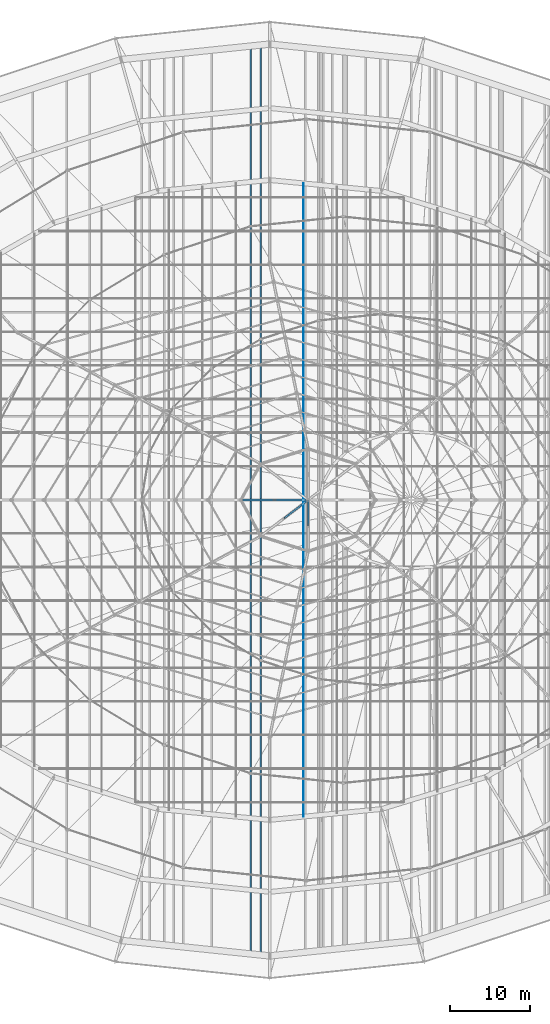
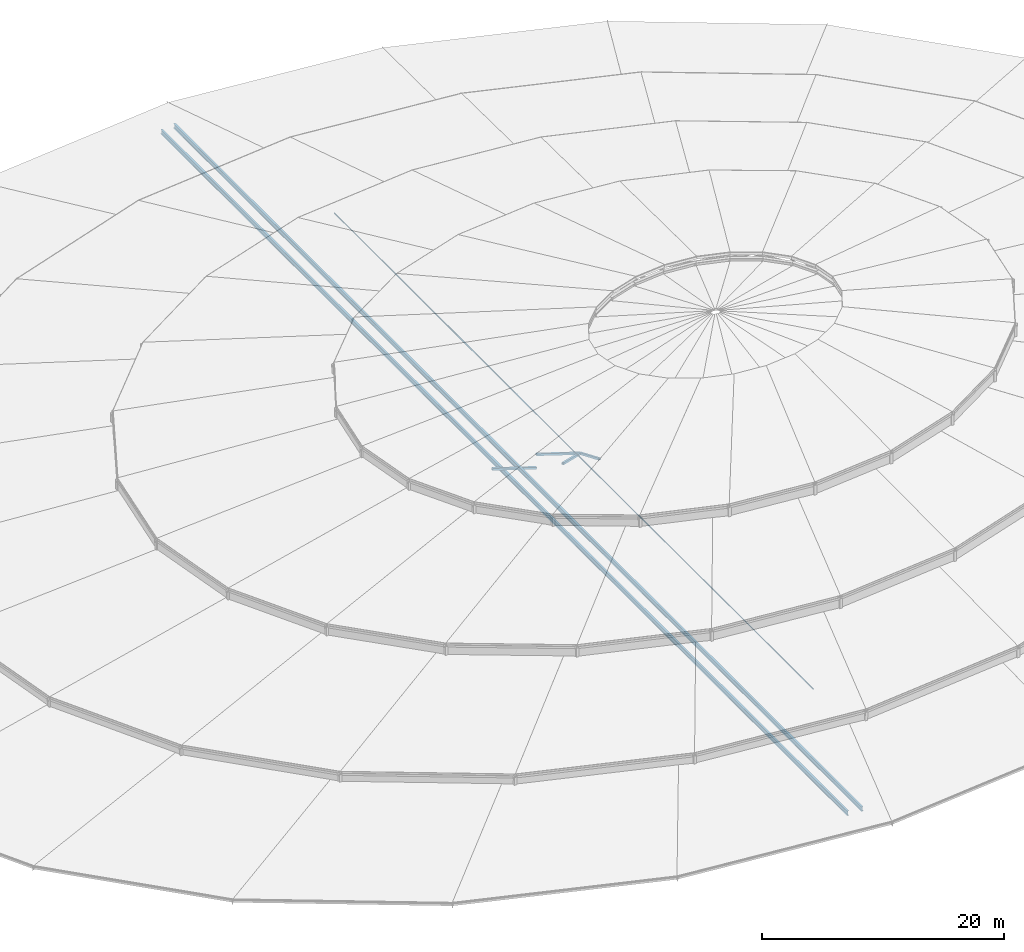
# One storey, part 58 of 184: 7 members.
"""IFC4 building model written with IfcOpenShell, lengths in metres."""

import ifcopenshell
import ifcopenshell.guid

model = None  # the IFC model being written
_history = None  # IfcOwnerHistory: only IFC2X3 demands one
_inside = {}  # id of a spatial element -> (the spatial element, [elements in it])
_under = {}  # id of a project, library or spatial element -> (it, [spatial elements below it])
_declared = {}  # id of a project -> (the project, [libraries it declares])
_typed = {}  # id of a type object -> (the type object, [elements of that type])
_made_of = {}  # id of a material, layer set ... -> (it, [elements and type objects made of it])


def new_model(schema):
    """Start an empty IFC model of exactly this schema.

    Asked for "IFC4X3", IfcOpenShell would pick the latest addendum, in which some entities
    have other attributes; the version numbers below select the first issue.
    IFC2X3 requires an IfcOwnerHistory on every rooted entity: one is made here for all.
    """
    global model, _history
    if schema == "IFC4X3":
        model = ifcopenshell.file(schema_version=(4, 3, 0, 0))
    else:
        model = ifcopenshell.file(schema=schema)
    _inside.clear()
    _under.clear()
    _declared.clear()
    _typed.clear()
    _made_of.clear()
    _history = None
    if model.schema == "IFC2X3":
        org = make("IfcOrganization", Name="unknown")
        user = make(
            "IfcPersonAndOrganization",
            ThePerson=make("IfcPerson", FamilyName="unknown"),
            TheOrganization=org,
        )
        app = make(
            "IfcApplication",
            ApplicationDeveloper=org,
            Version="unknown",
            ApplicationFullName="unknown",
            ApplicationIdentifier="unknown",
        )
        _history = make(
            "IfcOwnerHistory",
            OwningUser=user,
            OwningApplication=app,
            ChangeAction="ADDED",
            CreationDate=0,
        )
    return model


def make(cls, **values):
    """One entity of the class cls with the attributes given. An attribute that is None is left unset."""
    return model.create_entity(
        cls, **{name: value for name, value in values.items() if value is not None}
    )


def rooted(cls, **values):
    """An entity with a GlobalId (a new one), such as an element, a storey or a relation."""
    return make(cls, GlobalId=ifcopenshell.guid.new(), OwnerHistory=_history, **values)


def si_unit(unit_type, name, prefix=None):
    """IfcSIUnit, for example si_unit("LENGTHUNIT", "METRE", prefix="MILLI")."""
    return make("IfcSIUnit", UnitType=unit_type, Prefix=prefix, Name=name)


def assignment(units):
    """IfcUnitAssignment: the units of a project."""
    return None if units is None else make("IfcUnitAssignment", Units=units)


def point(xyz):
    """IfcCartesianPoint."""
    return None if xyz is None else make("IfcCartesianPoint", Coordinates=xyz)


def direction(xyz):
    """IfcDirection."""
    return None if xyz is None else make("IfcDirection", DirectionRatios=xyz)


def frame(location, z_axis=None, x_axis=None):
    """IfcAxis2Placement3D, a coordinate frame: its origin and axes. An axis left out is left unset."""
    return make(
        "IfcAxis2Placement3D",
        Location=point(location),
        Axis=direction(z_axis),
        RefDirection=direction(x_axis),
    )


def frame_2d(location, x_axis=None):
    """IfcAxis2Placement2D, a coordinate frame in the plane: its origin and x axis."""
    return make(
        "IfcAxis2Placement2D", Location=point(location), RefDirection=direction(x_axis)
    )


def origin():
    """The frame at (0, 0, 0) with its axes left unset."""
    return frame((0.0, 0.0, 0.0))


def origin_2d():
    """The frame at (0, 0) in the plane with its x axis left unset."""
    return frame_2d((0.0, 0.0))


def place(relative_to, where):
    """IfcLocalPlacement: puts the frame where relative to a parent placement (None: the world)."""
    return make(
        "IfcLocalPlacement", PlacementRelTo=relative_to, RelativePlacement=where
    )


def context(
    kind, dimensions, precision=None, world=None, true_north=None, identifier=None
):
    """IfcGeometricRepresentationContext, for example the 3D "Model" context."""
    return make(
        "IfcGeometricRepresentationContext",
        ContextIdentifier=identifier,
        ContextType=kind,
        CoordinateSpaceDimension=dimensions,
        Precision=precision,
        WorldCoordinateSystem=world,
        TrueNorth=true_north,
    )


def subcontext(parent, identifier, kind, view, scale=None):
    """IfcGeometricRepresentationSubContext, for example "Body" below "Model"."""
    return make(
        "IfcGeometricRepresentationSubContext",
        ContextIdentifier=identifier,
        ContextType=kind,
        ParentContext=parent,
        TargetScale=scale,
        TargetView=view,
    )


def project(units=None, contexts=None):
    """IfcProject with its units and contexts."""
    return rooted(
        "IfcProject",
        Name="project",
        RepresentationContexts=contexts,
        UnitsInContext=assignment(units),
    )


def spatial(cls, under=None, at=None, **own):
    """A site, building, storey or space (cls), placed at a placement, below another one or the project."""
    s = rooted(cls, ObjectPlacement=at, **own)
    if under is not None:
        _under.setdefault(under.id(), (under, []))[1].append(s)
    return s


def profile(cls, at=None, kind="AREA", **sizes):
    """A parametric profile (cls). Its sizes go by their IFC names, for example OverallWidth=200.0."""
    return make(cls, ProfileType=kind, Position=at, **sizes)


def hollow_rectangle(**sizes):
    """IfcRectangleHollowProfileDef."""
    return profile("IfcRectangleHollowProfileDef", **sizes)


def circle(**sizes):
    """IfcCircleProfileDef."""
    return profile("IfcCircleProfileDef", **sizes)


def i_section(**sizes):
    """IfcIShapeProfileDef."""
    return profile("IfcIShapeProfileDef", **sizes)


def extrude(swept, where, along, depth):
    """IfcExtrudedAreaSolid: the profile swept, set in the frame where, extruded along a direction by depth."""
    return make(
        "IfcExtrudedAreaSolid",
        SweptArea=swept,
        Position=where,
        ExtrudedDirection=direction(along),
        Depth=depth,
    )


def shape(context_of_items, identifier, shape_type, items):
    """IfcShapeRepresentation: the items that make up one representation, for example the "Body"."""
    return make(
        "IfcShapeRepresentation",
        ContextOfItems=context_of_items,
        RepresentationIdentifier=identifier,
        RepresentationType=shape_type,
        Items=items,
    )


def material(Name=None, Category=None):
    """IfcMaterial."""
    return make("IfcMaterial", Name=Name, Category=Category)


def material_profile(
    of_material, cross_section, Name=None, Category=None, Priority=None
):
    """IfcMaterialProfile: a cross section and its material."""
    return make(
        "IfcMaterialProfile",
        Name=Name,
        Material=of_material,
        Profile=cross_section,
        Priority=Priority,
        Category=Category,
    )


def profile_set(profiles, Name=None, composite=None):
    """IfcMaterialProfileSet."""
    return make(
        "IfcMaterialProfileSet",
        Name=Name,
        MaterialProfiles=profiles,
        CompositeProfile=composite,
    )


def made_of(thing, what):
    """Note that an element or type object is made of a material, layer set ...; save() writes the relation."""
    if what is not None:
        _made_of.setdefault(what.id(), (what, []))[1].append(thing)
    return thing


def type_object(cls, material=None, **own):
    """A type object (cls), such as IfcWallType, which elements share."""
    return made_of(rooted(cls, **own), material)


def element(
    cls,
    number,
    at=None,
    inside=None,
    cuts=None,
    type_object=None,
    material=None,
    context=None,
    identifier="Body",
    shape_type=None,
    held_by="IfcProductDefinitionShape",
    body=None,
    shapes=None,
    **own,
):
    """One element of the class cls, such as IfcWall. Its Tag is "e" and its number.

    at: its placement. inside: the storey or other place that contains it. cuts: it is an
    opening in that element (IfcRelVoidsElement). A single representation is given by context,
    identifier, shape_type and body (its items); several are given by shapes. held_by: the class
    of the entity that holds the representations. save() writes the other relations.
    """
    e = rooted(cls, Tag="e%d" % number, ObjectPlacement=at, **own)
    if body is not None:
        shapes = [shape(context, identifier, shape_type, body)]
    if shapes is not None:
        e.Representation = make(held_by, Representations=shapes)
    if inside is not None:
        _inside.setdefault(inside.id(), (inside, []))[1].append(e)
    if cuts is not None:
        rooted(
            "IfcRelVoidsElement", RelatingBuildingElement=cuts, RelatedOpeningElement=e
        )
    if type_object is not None:
        _typed.setdefault(type_object.id(), (type_object, []))[1].append(e)
    return made_of(e, material)


def aggregate(whole, parts):
    """IfcRelAggregates: a whole, such as a stair, and the parts it consists of."""
    return rooted("IfcRelAggregates", RelatingObject=whole, RelatedObjects=parts)


def save(model, path):
    """Write the relations noted so far, then the file.

    IfcRelAggregates (storeys below a building ...), IfcRelContainedInSpatialStructure (elements
    in a storey), IfcRelDefinesByType, IfcRelAssociatesMaterial and IfcRelDeclares: one each for
    every whole, place, type object, material and project.
    """
    for whole, parts in _under.values():
        aggregate(whole, parts)
    for where, things in _inside.values():
        rooted(
            "IfcRelContainedInSpatialStructure",
            RelatedElements=things,
            RelatingStructure=where,
        )
    for kind, things in _typed.values():
        rooted("IfcRelDefinesByType", RelatedObjects=things, RelatingType=kind)
    for what, things in _made_of.values():
        rooted("IfcRelAssociatesMaterial", RelatedObjects=things, RelatingMaterial=what)
    for by, libraries in _declared.values():
        rooted("IfcRelDeclares", RelatingContext=by, RelatedDefinitions=libraries)
    model.write(path)


model = new_model("IFC4")

# Units and contexts
model_context = context("Model", 3, precision=1e-05, world=origin(), true_north=direction((0.0, 1.0)))
body_context = subcontext(model_context, "Body", "Model", "MODEL_VIEW")
ifc_project = project(units=[si_unit("LENGTHUNIT", "METRE"), si_unit("AREAUNIT", "SQUARE_METRE"), si_unit("VOLUMEUNIT", "CUBIC_METRE"), si_unit("PLANEANGLEUNIT", "RADIAN"), si_unit("MASSUNIT", "GRAM", prefix="KILO")], contexts=[model_context])

# Site, building, storey
site_placement = place(None, origin())
site = spatial("IfcSite", under=ifc_project, at=site_placement, CompositionType="ELEMENT")
building_placement = place(site_placement, origin())
building = spatial("IfcBuilding", under=site, at=building_placement, Name="Kalgoora Escarpment Arena", CompositionType="ELEMENT")
storey_placement = place(building_placement, frame((0.0, 0.0, 27.60009765625)))
storey = spatial("IfcBuildingStorey", under=building, at=storey_placement, Name="Roof Level", CompositionType="ELEMENT", Elevation=27.60009765625)

# Members
ifc_material_1 = material(Name="High-tensile spiral strand steel Grade 450 (350 MPa)", Category="steel")
ifc_material_profile_1 = material_profile(ifc_material_1, circle(Radius=0.035888671875, at=origin_2d()))
ifc_profile_set_1 = profile_set([ifc_material_profile_1], Name="High-tensile spiral strand steel Grade 450 (350 MPa)")
member_type_1 = type_object("IfcMemberType", Name="MEM-CABLE-72", PredefinedType="USERDEFINED", material=ifc_profile_set_1)
member_1_placement = place(storey_placement, frame((96.60009765625, 24.40966796875, -1.190185546875), z_axis=(0.0, 1.0, 0.0), x_axis=(-1.0, 0.0, 0.0)))
element("IfcMember", 1, at=member_1_placement, inside=storey, type_object=member_type_1, Name="Roof saddle pretensioning cable Y-31", ObjectType="CABLE", PredefinedType="USERDEFINED", context=body_context, shape_type="SweptSolid", body=[
    extrude(circle(Radius=0.035888671875, at=origin_2d()), origin(), (0.0, 0.0, 1.0), 79.1806640625),
])
ifc_material_2 = material(Name="Structural steel AS/NZS 3679 (300 MPa)", Category="steel")
ifc_material_profile_2 = material_profile(ifc_material_2, i_section(OverallWidth=0.19091796875, OverallDepth=0.4599609375, WebThickness=0.010009765625, FlangeThickness=0.01611328125, at=origin_2d()))
ifc_profile_set_2 = profile_set([ifc_material_profile_2], Name="Structural steel AS/NZS 3679 (300 MPa)")
member_type_2 = type_object("IfcMemberType", Name="MEM-CARRIER-CHORD", PredefinedType="CHORD", material=ifc_profile_set_2)
member_2_placement = place(storey_placement, frame((90.0048828125, 7.250244140625, -1.02001953125), z_axis=(0.0, 1.0, 0.0), x_axis=(-1.0, 0.0, 0.0)))
element("IfcMember", 2, at=member_2_placement, inside=storey, type_object=member_type_2, Name="Petal RP3 spanning carrier chord C08", PredefinedType="CHORD", context=body_context, shape_type="SweptSolid", body=[
    extrude(i_section(OverallWidth=0.19091796875, OverallDepth=0.4599609375, WebThickness=0.010009765625, FlangeThickness=0.01611328125, at=origin_2d()), origin(), (0.0, 0.0, 1.0), 113.49951171875),
])
member_3_placement = place(storey_placement, frame((91.300048828125, 7.114990234375, -0.960205078125), z_axis=(0.0, 1.0, 0.0), x_axis=(-1.0, 0.0, 0.0)))
element("IfcMember", 3, at=member_3_placement, inside=storey, type_object=member_type_2, Name="Petal RP4 spanning carrier chord C09", PredefinedType="CHORD", context=body_context, shape_type="SweptSolid", body=[
    extrude(i_section(OverallWidth=0.19091796875, OverallDepth=0.4599609375, WebThickness=0.010009765625, FlangeThickness=0.01611328125, at=origin_2d()), origin(), (0.0, 0.0, 1.0), 113.77001953125),
])
ifc_material_3 = material(Name="Structural steel C350 (350 MPa)", Category="steel")
ifc_material_profile_3 = material_profile(ifc_material_3, hollow_rectangle(XDim=0.199951171875, YDim=0.199951171875, WallThickness=0.009033203125, at=origin_2d()))
ifc_profile_set_3 = profile_set([ifc_material_profile_3], Name="Structural steel C350 (350 MPa)")
member_type_3 = type_object("IfcMemberType", Name="MEM-TRUSS-DIAG", PredefinedType="BRACE", material=ifc_profile_set_3)
for number, where, z_axis, x_axis, name in (
    (4, (97.199951171875, 64.0, -1.60009765625), (-0.95202107565, 0.0, 0.306032468078), (0.0, -1.0, 0.0), "Central ROOF TRUSS hub web diagonal 1-3"),
    (5, (93.0, 64.0, -1.60009765625), (-0.95202107565, 0.0, 0.306032468078), (0.0, -1.0, 0.0), "Central ROOF TRUSS hub web diagonal 1-4"),
):
    element("IfcMember", number, at=place(storey_placement, frame(where, z_axis=z_axis, x_axis=x_axis)), inside=storey, type_object=member_type_3, Name=name, PredefinedType="BRACE", context=body_context, shape_type="SweptSolid", body=[
        extrude(hollow_rectangle(XDim=0.199951171875, YDim=0.199951171875, WallThickness=0.009033203125, at=origin_2d()), origin(), (0.0, 0.0, 1.0), 4.41162109375),
    ])
member_4_placement = place(storey_placement, frame((97.199951171875, 64.0, -1.60009765625), z_axis=(-0.748019895636, -0.569931633735, 0.340064947621), x_axis=(0.606051096023, -0.795425715582, 0.0)))
element("IfcMember", 6, at=member_4_placement, inside=storey, type_object=member_type_3, Name="Central ROOF TRUSS hub web diagonal 2-3", PredefinedType="BRACE", context=body_context, shape_type="SweptSolid", body=[
    extrude(hollow_rectangle(XDim=0.199951171875, YDim=0.199951171875, WallThickness=0.009033203125, at=origin_2d()), origin(), (0.0, 0.0, 1.0), 3.97021484375),
])
member_5_placement = place(storey_placement, frame((97.199951171875, 64.0, -1.60009765625), z_axis=(0.0, -0.921351966387, 0.38872940979), x_axis=(1.0, 0.0, 0.0)))
element("IfcMember", 7, at=member_5_placement, inside=storey, type_object=member_type_3, Name="Central ROOF TRUSS hub web diagonal 3-3", PredefinedType="BRACE", context=body_context, shape_type="SweptSolid", body=[
    extrude(hollow_rectangle(XDim=0.199951171875, YDim=0.199951171875, WallThickness=0.009033203125, at=origin_2d()), origin(), (0.0, 0.0, 1.0), 3.47314453125),
])

save(model, "model.ifc")
